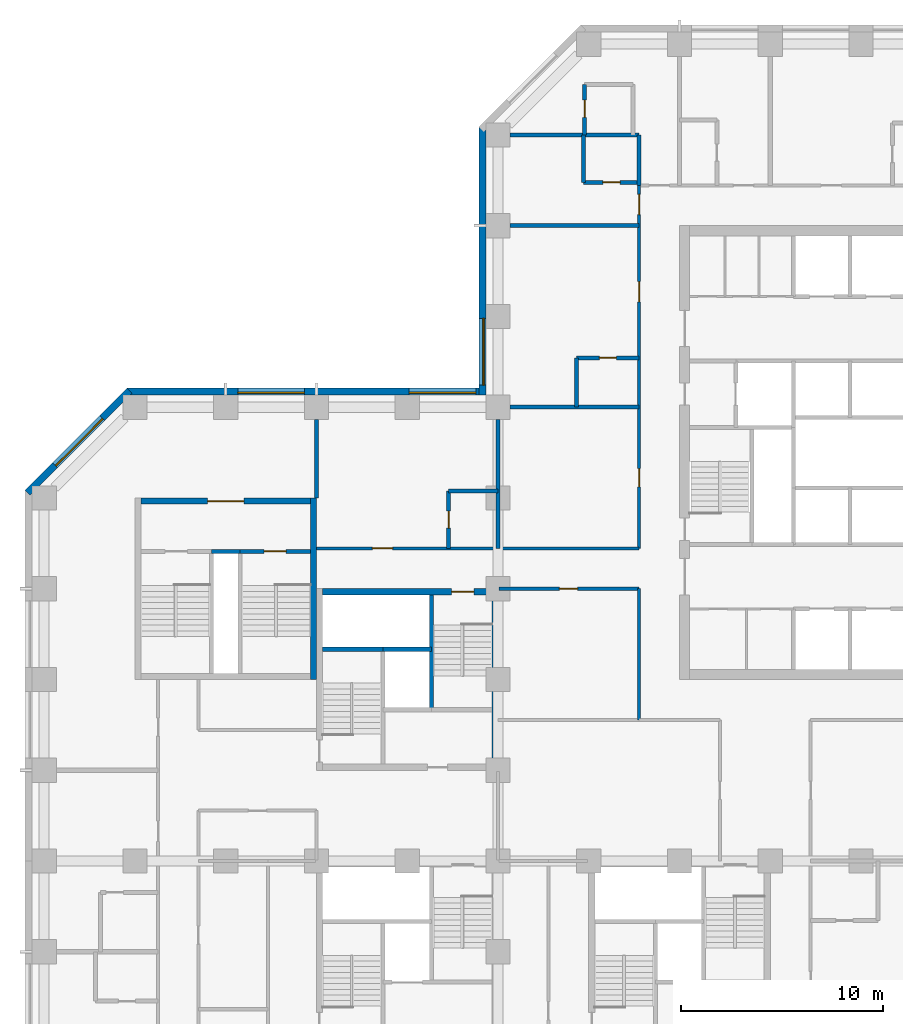
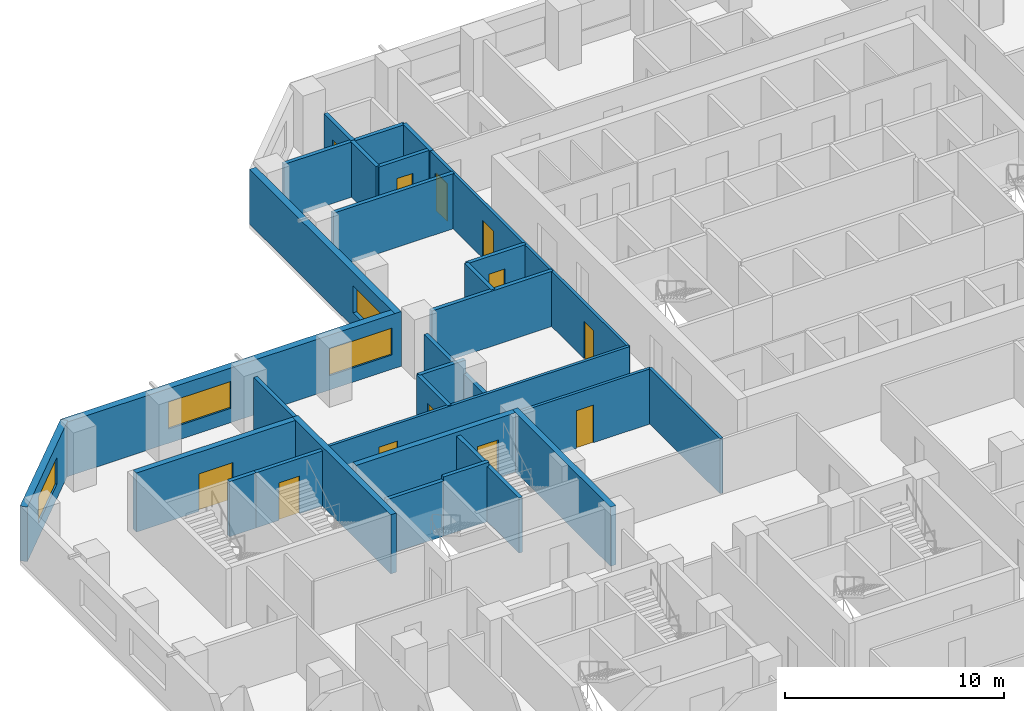
# One storey, part 7 of 13: 29 walls, 12 doors, 4 windows, 16 openings.
"""IFC4 building model written with IfcOpenShell, lengths in metres."""

from ifc_helpers import new_model, si_unit, direction, frame, frame_2d, origin, place, context, subcontext, project, spatial, rectangle, extrude, material, layer, layer_set, constituent, constituent_set, type_object, element, fill, save


model = new_model("IFC4")

# Units and contexts
model_context = context("Model", 3, precision=1e-05, world=origin(), true_north=direction((0.0, 1.0)))
body_context = subcontext(model_context, "Body", "Model", "MODEL_VIEW")
ifc_project = project(units=[si_unit("LENGTHUNIT", "METRE"), si_unit("AREAUNIT", "SQUARE_METRE"), si_unit("VOLUMEUNIT", "CUBIC_METRE"), si_unit("PLANEANGLEUNIT", "RADIAN"), si_unit("MASSUNIT", "GRAM", prefix="KILO")], contexts=[model_context])

# Site, building, storey
site_placement = place(None, origin())
site = spatial("IfcSite", under=ifc_project, at=site_placement, CompositionType="ELEMENT")
building_placement = place(site_placement, origin())
building = spatial("IfcBuilding", under=site, at=building_placement, Name="Quoin Convention Tower", CompositionType="ELEMENT")
storey_placement = place(building_placement, frame((0.0, 0.0, 49.5)))
storey = spatial("IfcBuildingStorey", under=building, at=storey_placement, Name="L12", CompositionType="ELEMENT", Elevation=49.5)

# Wall, opening, window
ifc_material_1 = material(Name="Brick masonry", Category="masonry")
ifc_layer_1 = layer(ifc_material_1, 0.35009765625)
ifc_layer_set_1 = layer_set([ifc_layer_1], Name="Brick masonry")
wall_type_1 = type_object("IfcWallType", Name="Brick facade wall", PredefinedType="STANDARD", material=ifc_layer_set_1)
wall_1_placement = place(storey_placement, frame((35.22509765625, 76.8935546875, 0.0), z_axis=(0.0, 0.0, 1.0), x_axis=(0.0, -1.0, 0.0)))
wall_1 = element("IfcWall", 1, at=wall_1_placement, inside=storey, type_object=wall_type_1, Name="fw-L12-36000_76500", PredefinedType="STANDARD", context=body_context, shape_type="SweptSolid", body=[
    extrude(rectangle(XDim=13.29345703125, YDim=0.35009765625, at=frame_2d((6.646728515625, 0.0))), origin(), (0.0, 0.0, 1.0), 3.054931640625),
])
opening_1_placement = place(wall_1_placement, frame((9.493408203125, 0.0, 0.800048828125)))
opening_1 = element("IfcOpeningElement", 2, at=opening_1_placement, cuts=wall_1, Name="Opening W-01", PredefinedType="OPENING", context=body_context, shape_type="SweptSolid", body=[
    extrude(rectangle(XDim=3.300048828125, YDim=1.5, at=frame_2d((1.64990234375, 0.75))), frame((0.0, 0.18505859375, 0.0), z_axis=(0.0, -1.0, 0.0), x_axis=(1.0, 0.0, 0.0)), (0.0, 0.0, 1.0), 0.3701171875),
])
ifc_material_2 = material(Name="Aluminium", Category="aluminium")
ifc_constituent_1 = constituent(ifc_material_2, Name="Frame")
ifc_material_3 = material(Name="Insulated glass", Category="glass")
ifc_constituent_2 = constituent(ifc_material_3, Name="Glazing")
ifc_constituent_set = constituent_set(constituents=[ifc_constituent_1, ifc_constituent_2], Name="Aluminium")
window_type = type_object("IfcWindowType", Name="Hotel strip window", PartitioningType="DOUBLE_PANEL_VERTICAL", PredefinedType="WINDOW", material=ifc_constituent_set)
window_1_placement = place(opening_1_placement, origin())
window_1 = element("IfcWindow", 3, at=window_1_placement, inside=storey, type_object=window_type, Name="win-L12-35225_65250", OverallHeight=1.5, OverallWidth=3.300048828125, PartitioningType="SINGLE_PANEL", PredefinedType="WINDOW", context=body_context, shape_type="SweptSolid", body=[
    extrude(rectangle(XDim=3.300048828125, YDim=1.5, at=frame_2d((1.64990234375, 0.75))), frame((0.0, 0.0849609375, 0.0), z_axis=(0.0, -1.0, 0.0), x_axis=(1.0, 0.0, 0.0)), (0.0, 0.0, 1.0), 0.06005859375),
])
fill(opening_1, window_1)

# Wall, openings, windows
wall_2_placement = place(storey_placement, frame((35.39990234375, 63.77490234375, 0.0), z_axis=(0.0, 0.0, 1.0), x_axis=(-1.0, 0.0, 0.0)))
wall_2 = element("IfcWall", 4, at=wall_2_placement, inside=storey, type_object=wall_type_1, Name="fw-L12-36000_63000", PredefinedType="STANDARD", context=body_context, shape_type="SweptSolid", body=[
    extrude(rectangle(XDim=17.79345703125, YDim=0.35009765625, at=frame_2d((8.896728515625, 0.0))), origin(), (0.0, 0.0, 1.0), 3.054931640625),
])
opening_2_placement = place(wall_2_placement, frame((0.5, 0.0, 0.800048828125)))
opening_2 = element("IfcOpeningElement", 5, at=opening_2_placement, cuts=wall_2, Name="Opening W-01", PredefinedType="OPENING", context=body_context, shape_type="SweptSolid", body=[
    extrude(rectangle(XDim=3.300048828125, YDim=1.5, at=frame_2d((1.64990234375, 0.75))), frame((0.0, 0.18505859375, 0.0), z_axis=(0.0, -1.0, 0.0), x_axis=(1.0, 0.0, 0.0)), (0.0, 0.0, 1.0), 0.3701171875),
])
opening_3_placement = place(wall_2_placement, frame((9.0, 0.0, 0.800048828125)))
opening_3 = element("IfcOpeningElement", 6, at=opening_3_placement, cuts=wall_2, Name="Opening W-01", PredefinedType="OPENING", context=body_context, shape_type="SweptSolid", body=[
    extrude(rectangle(XDim=3.300048828125, YDim=1.5, at=frame_2d((1.64990234375, 0.75))), frame((0.0, 0.18505859375, 0.0), z_axis=(0.0, -1.0, 0.0), x_axis=(1.0, 0.0, 0.0)), (0.0, 0.0, 1.0), 0.3701171875),
])
window_2_placement = place(opening_2_placement, origin())
window_2 = element("IfcWindow", 7, at=window_2_placement, inside=storey, type_object=window_type, Name="win-L12-33750_63775", OverallHeight=1.5, OverallWidth=3.300048828125, PartitioningType="SINGLE_PANEL", PredefinedType="WINDOW", context=body_context, shape_type="SweptSolid", body=[
    extrude(rectangle(XDim=3.300048828125, YDim=1.5, at=frame_2d((1.64990234375, 0.75))), frame((0.0, 0.0849609375, 0.0), z_axis=(0.0, -1.0, 0.0), x_axis=(1.0, 0.0, 0.0)), (0.0, 0.0, 1.0), 0.06005859375),
])
fill(opening_2, window_2)
window_3_placement = place(opening_3_placement, origin())
window_3 = element("IfcWindow", 8, at=window_3_placement, inside=storey, type_object=window_type, Name="win-L12-24750_63775", OverallHeight=1.5, OverallWidth=3.300048828125, PartitioningType="SINGLE_PANEL", PredefinedType="WINDOW", context=body_context, shape_type="SweptSolid", body=[
    extrude(rectangle(XDim=3.300048828125, YDim=1.5, at=frame_2d((1.64990234375, 0.75))), frame((0.0, 0.0849609375, 0.0), z_axis=(0.0, -1.0, 0.0), x_axis=(1.0, 0.0, 0.0)), (0.0, 0.0, 1.0), 0.06005859375),
])
fill(opening_3, window_3)

# Wall, opening, window
wall_3_placement = place(storey_placement, frame((17.730224609375, 63.826416015625, 0.0), z_axis=(0.0, 0.0, 1.0), x_axis=(-0.707106781187, -0.707106781187, 0.0)))
wall_3 = element("IfcWall", 9, at=wall_3_placement, inside=storey, type_object=wall_type_1, Name="fw-L12-18000_63000", PredefinedType="STANDARD", context=body_context, shape_type="SweptSolid", body=[
    extrude(rectangle(XDim=7.151123046875, YDim=0.35009765625, at=frame_2d((3.57568359375, 0.0))), origin(), (0.0, 0.0, 1.0), 3.054931640625),
])
opening_4_placement = place(wall_3_placement, frame((1.925537109375, 0.0, 0.800048828125)))
opening_4 = element("IfcOpeningElement", 10, at=opening_4_placement, cuts=wall_3, Name="Opening W-01", PredefinedType="OPENING", context=body_context, shape_type="SweptSolid", body=[
    extrude(rectangle(XDim=3.300048828125, YDim=1.5, at=frame_2d((1.64990234375, 0.75))), frame((0.0, 0.18505859375, 0.0), z_axis=(0.0, -1.0, 0.0), x_axis=(1.0, 0.0, 0.0)), (0.0, 0.0, 1.0), 0.3701171875),
])
window_4_placement = place(opening_4_placement, origin())
window_4 = element("IfcWindow", 11, at=window_4_placement, inside=storey, type_object=window_type, Name="win-L12-15202_61298", OverallHeight=1.5, OverallWidth=3.300048828125, PartitioningType="SINGLE_PANEL", PredefinedType="WINDOW", context=body_context, shape_type="SweptSolid", body=[
    extrude(rectangle(XDim=3.300048828125, YDim=1.5, at=frame_2d((1.64990234375, 0.75))), frame((0.0, 0.0849609375, 0.0), z_axis=(0.0, -1.0, 0.0), x_axis=(1.0, 0.0, 0.0)), (0.0, 0.0, 1.0), 0.06005859375),
])
fill(opening_4, window_4)

# Walls
ifc_material_4 = material(Name="Concrete C50", Category="concrete")
ifc_layer_2 = layer(ifc_material_4, 0.199951171875)
ifc_layer_set_2 = layer_set([ifc_layer_2], Name="Concrete C50")
wall_type_2 = type_object("IfcWallType", Name="Core shaft wall", PredefinedType="SOLIDWALL", material=ifc_layer_set_2)
wall_4_placement = place(storey_placement, frame((27.300048828125, 51.0, 0.0), z_axis=(0.0, 0.0, 1.0), x_axis=(1.0, 0.0, 0.0)))
element("IfcWall", 12, at=wall_4_placement, inside=storey, type_object=wall_type_2, Name="cr-P2-L12-h6000_300", PredefinedType="SOLIDWALL", context=body_context, shape_type="SweptSolid", body=[
    extrude(rectangle(XDim=3.0, YDim=0.199951171875, at=frame_2d((1.5, 0.0))), origin(), (0.0, 0.0, 1.0), 3.080078125),
])
wall_5_placement = place(storey_placement, frame((32.699951171875, 48.0, 0.0), z_axis=(0.0, 0.0, 1.0), x_axis=(0.0, 1.0, 0.0)))
element("IfcWall", 13, at=wall_5_placement, inside=storey, type_object=wall_type_2, Name="cr-P2-L12-v5700_3000", PredefinedType="SOLIDWALL", context=body_context, shape_type="SweptSolid", body=[
    extrude(rectangle(XDim=5.699951171875, YDim=0.199951171875, at=frame_2d((2.85009765625, 0.0))), origin(), (0.0, 0.0, 1.0), 3.080078125),
])
wall_6_placement = place(storey_placement, frame((21.800048828125, 55.85009765625, 0.0), z_axis=(0.0, 0.0, 1.0), x_axis=(1.0, 0.0, 0.0)))
element("IfcWall", 14, at=wall_6_placement, inside=storey, type_object=wall_type_2, Name="cr-P6-L12-h6350_3800", PredefinedType="SOLIDWALL", context=body_context, shape_type="SweptSolid", body=[
    extrude(rectangle(XDim=1.39990234375, YDim=0.199951171875, at=frame_2d((0.699951171875, 0.0))), origin(), (0.0, 0.0, 1.0), 3.080078125),
])

# Wall, opening, door
wall_7_placement = place(storey_placement, frame((23.199951171875, 55.85009765625, 0.0), z_axis=(0.0, 0.0, 1.0), x_axis=(1.0, 0.0, 0.0)))
wall_7 = element("IfcWall", 15, at=wall_7_placement, inside=storey, type_object=wall_type_2, Name="cr-P6-L12-h6350_5200", PredefinedType="SOLIDWALL", context=body_context, shape_type="SweptSolid", body=[
    extrude(rectangle(XDim=3.5, YDim=0.199951171875, at=frame_2d((1.75, 0.0))), origin(), (0.0, 0.0, 1.0), 3.080078125),
])
opening_5_placement = place(wall_7_placement, frame((1.199951171875, 0.0, 0.0)))
opening_5 = element("IfcOpeningElement", 16, at=opening_5_placement, cuts=wall_7, Name="Opening SD12", PredefinedType="OPENING", context=body_context, shape_type="SweptSolid", body=[
    extrude(rectangle(XDim=1.10009765625, YDim=2.10009765625, at=frame_2d((0.550048828125, 1.050048828125))), frame((0.0, 0.10986328125, 0.0), z_axis=(0.0, -1.0, 0.0), x_axis=(1.0, 0.0, 0.0)), (0.0, 0.0, 1.0), 0.219970703125),
])
ifc_material_5 = material(Name="Steel door leaf", Category="steel")
door_type_1 = type_object("IfcDoorType", Name="Stair door 1100 x 2100", OperationType="SINGLE_SWING_RIGHT", PredefinedType="DOOR", material=ifc_material_5)
door_1_placement = place(opening_5_placement, origin())
door_1 = element("IfcDoor", 17, at=door_1_placement, inside=storey, type_object=door_type_1, Name="cd-P6-L12-SB-R2-SD12", OperationType="SINGLE_SWING_RIGHT", OverallHeight=2.10009765625, OverallWidth=1.10009765625, PredefinedType="DOOR", context=body_context, shape_type="SweptSolid", body=[
    extrude(rectangle(XDim=1.10009765625, YDim=2.10009765625, at=frame_2d((0.550048828125, 1.050048828125))), frame((0.0, 0.02490234375, 0.0), z_axis=(0.0, -1.0, 0.0), x_axis=(1.0, 0.0, 0.0)), (0.0, 0.0, 1.0), 0.050048828125),
])
fill(opening_5, door_1)

# Wall
ifc_layer_3 = layer(ifc_material_4, 0.199951171875)
ifc_layer_set_3 = layer_set([ifc_layer_3], Name="Concrete C50")
wall_type_3 = type_object("IfcWallType", Name="Core shaft wall to the floor level over", PredefinedType="SOLIDWALL", material=ifc_layer_set_3)
wall_8_placement = place(storey_placement, frame((30.300048828125, 51.0, 0.0), z_axis=(0.0, 0.0, 1.0), x_axis=(1.0, 0.0, 0.0)))
element("IfcWall", 18, at=wall_8_placement, inside=storey, type_object=wall_type_3, Name="cr-P2-L12-h6000_3300", PredefinedType="SOLIDWALL", context=body_context, shape_type="SweptSolid", body=[
    extrude(rectangle(XDim=2.39990234375, YDim=0.199951171875, at=frame_2d((1.199951171875, 0.0))), origin(), (0.0, 0.0, 1.0), 3.300048828125),
])

# Wall, opening, door
ifc_material_6 = material(Name="Concrete C80", Category="concrete")
ifc_layer_4 = layer(ifc_material_6, 0.300048828125)
ifc_layer_set_4 = layer_set([ifc_layer_4], Name="Concrete C80")
wall_type_4 = type_object("IfcWallType", Name="RC CORE WALL 300 C80", PredefinedType="SHEAR", material=ifc_layer_set_4)
wall_9_placement = place(storey_placement, frame((27.300048828125, 53.85009765625, 0.0), z_axis=(0.0, 0.0, 1.0), x_axis=(1.0, 0.0, 0.0)))
wall_9 = element("IfcWall", 19, at=wall_9_placement, inside=storey, type_object=wall_type_4, Name="cwl-P2-L12-N", PredefinedType="SHEAR", context=body_context, shape_type="SweptSolid", body=[
    extrude(rectangle(XDim=8.39990234375, YDim=0.300048828125, at=frame_2d((4.199951171875, 0.0))), origin(), (0.0, 0.0, 1.0), 3.300048828125),
])
opening_6_placement = place(wall_9_placement, frame((6.39990234375, 0.0, 0.0)))
opening_6 = element("IfcOpeningElement", 20, at=opening_6_placement, cuts=wall_9, Name="Opening SD4", PredefinedType="OPENING", context=body_context, shape_type="SweptSolid", body=[
    extrude(rectangle(XDim=1.10009765625, YDim=2.10009765625, at=frame_2d((0.550048828125, 1.050048828125))), frame((0.0, 0.159912109375, 0.0), z_axis=(0.0, -1.0, 0.0), x_axis=(1.0, 0.0, 0.0)), (0.0, 0.0, 1.0), 0.320068359375),
])
door_2_placement = place(opening_6_placement, frame((1.10009765625, 0.0, 0.0), z_axis=(0.0, 0.0, 1.0), x_axis=(-1.0, 0.0, 0.0)))
door_2 = element("IfcDoor", 21, at=door_2_placement, inside=storey, type_object=door_type_1, Name="cd-P2-L12-SB-N", OperationType="SINGLE_SWING_LEFT", OverallHeight=2.10009765625, OverallWidth=1.10009765625, PredefinedType="DOOR", context=body_context, shape_type="SweptSolid", body=[
    extrude(rectangle(XDim=1.10009765625, YDim=2.10009765625, at=frame_2d((0.550048828125, 1.050048828125))), frame((0.0, 0.02490234375, 0.0), z_axis=(0.0, -1.0, 0.0), x_axis=(1.0, 0.0, 0.0)), (0.0, 0.0, 1.0), 0.050048828125),
])
fill(opening_6, door_2)

# Wall
wall_10_placement = place(storey_placement, frame((35.85009765625, 45.0, 0.0), z_axis=(0.0, 0.0, 1.0), x_axis=(0.0, 1.0, 0.0)))
element("IfcWall", 22, at=wall_10_placement, inside=storey, type_object=wall_type_4, Name="cwl-P2-L12-E", PredefinedType="SHEAR", context=body_context, shape_type="SweptSolid", body=[
    extrude(rectangle(XDim=9.0, YDim=0.300048828125, at=frame_2d((4.5, 0.0))), origin(), (0.0, 0.0, 1.0), 3.300048828125),
])

# Wall, opening, door
wall_11_placement = place(storey_placement, frame((18.300048828125, 58.35009765625, 0.0), z_axis=(0.0, 0.0, 1.0), x_axis=(1.0, 0.0, 0.0)))
wall_11 = element("IfcWall", 23, at=wall_11_placement, inside=storey, type_object=wall_type_4, Name="cwl-P6-L12-N", PredefinedType="SHEAR", context=body_context, shape_type="SweptSolid", body=[
    extrude(rectangle(XDim=8.39990234375, YDim=0.300048828125, at=frame_2d((4.199951171875, 0.0))), origin(), (0.0, 0.0, 1.0), 3.300048828125),
])
opening_7_placement = place(wall_11_placement, frame((3.300048828125, 0.0, 0.0)))
opening_7 = element("IfcOpeningElement", 24, at=opening_7_placement, cuts=wall_11, Name="Opening DCV4-46", PredefinedType="OPENING", context=body_context, shape_type="SweptSolid", body=[
    extrude(rectangle(XDim=1.800048828125, YDim=2.10009765625, at=frame_2d((0.89990234375, 1.050048828125))), frame((0.0, 0.159912109375, 0.0), z_axis=(0.0, -1.0, 0.0), x_axis=(1.0, 0.0, 0.0)), (0.0, 0.0, 1.0), 0.320068359375),
])
door_type_2 = type_object("IfcDoorType", Name="Goods lobby door 1800 x 2100", OperationType="SINGLE_SWING_LEFT", PredefinedType="DOOR", material=ifc_material_5)
door_3_placement = place(opening_7_placement, origin())
door_3 = element("IfcDoor", 25, at=door_3_placement, inside=storey, type_object=door_type_2, Name="cd-P6-L12-R2-N", OperationType="SINGLE_SWING_RIGHT", OverallHeight=2.10009765625, OverallWidth=1.800048828125, PredefinedType="DOOR", context=body_context, shape_type="SweptSolid", body=[
    extrude(rectangle(XDim=1.800048828125, YDim=2.10009765625, at=frame_2d((0.89990234375, 1.050048828125))), frame((0.0, 0.02490234375, 0.0), z_axis=(0.0, -1.0, 0.0), x_axis=(1.0, 0.0, 0.0)), (0.0, 0.0, 1.0), 0.050048828125),
])
fill(opening_7, door_3)

# Walls
wall_12_placement = place(storey_placement, frame((26.85009765625, 49.5, 0.0), z_axis=(0.0, 0.0, 1.0), x_axis=(0.0, 1.0, 0.0)))
element("IfcWall", 26, at=wall_12_placement, inside=storey, type_object=wall_type_4, Name="cwl-P6-L12-E", PredefinedType="SHEAR", context=body_context, shape_type="SweptSolid", body=[
    extrude(rectangle(XDim=9.0, YDim=0.300048828125, at=frame_2d((4.5, 0.0))), origin(), (0.0, 0.0, 1.0), 3.300048828125),
])
ifc_layer_5 = layer(ifc_material_4, 0.199951171875)
ifc_layer_set_5 = layer_set([ifc_layer_5], Name="Concrete C50")
wall_type_5 = type_object("IfcWallType", Name="RC party wall", PredefinedType="SOLIDWALL", material=ifc_layer_set_5)
wall_13_placement = place(storey_placement, frame((27.0, 58.5, 0.0), z_axis=(0.0, 0.0, 1.0), x_axis=(0.0, 1.0, 0.0)))
element("IfcWall", 27, at=wall_13_placement, inside=storey, type_object=wall_type_5, Name="pw-L12-102", PredefinedType="SOLIDWALL", context=body_context, shape_type="SweptSolid", body=[
    extrude(rectangle(XDim=3.89990234375, YDim=0.199951171875, at=frame_2d((1.949951171875, 0.0))), origin(), (0.0, 0.0, 1.0), 3.080078125),
])

# Wall, opening, door
wall_14_placement = place(storey_placement, frame((33.550048828125, 56.0, 0.0), z_axis=(0.0, 0.0, 1.0), x_axis=(0.0, 1.0, 0.0)))
wall_14 = element("IfcWall", 28, at=wall_14_placement, inside=storey, type_object=wall_type_5, Name="pw-L12-103", PredefinedType="SOLIDWALL", context=body_context, shape_type="SweptSolid", body=[
    extrude(rectangle(XDim=2.85009765625, YDim=0.199951171875, at=frame_2d((1.425048828125, 0.0))), origin(), (0.0, 0.0, 1.0), 3.080078125),
])
opening_8_placement = place(wall_14_placement, frame((1.0, 0.0, 0.0)))
opening_8 = element("IfcOpeningElement", 29, at=opening_8_placement, cuts=wall_14, Name="Opening DHOTEL-A-57", PredefinedType="OPENING", context=body_context, shape_type="SweptSolid", body=[
    extrude(rectangle(XDim=0.85009765625, YDim=2.10009765625, at=frame_2d((0.425048828125, 1.050048828125))), frame((0.0, 0.10986328125, 0.0), z_axis=(0.0, -1.0, 0.0), x_axis=(1.0, 0.0, 0.0)), (0.0, 0.0, 1.0), 0.219970703125),
])
door_type_3 = type_object("IfcDoorType", Name="Bathroom door", OperationType="SINGLE_SWING_LEFT", PredefinedType="DOOR", material=ifc_material_5)
door_4_placement = place(opening_8_placement, origin())
door_4 = element("IfcDoor", 30, at=door_4_placement, inside=storey, type_object=door_type_3, Name="dr-L12-028", OperationType="SINGLE_SWING_LEFT", OverallHeight=2.10009765625, OverallWidth=0.85009765625, PredefinedType="DOOR", context=body_context, shape_type="SweptSolid", body=[
    extrude(rectangle(XDim=0.85009765625, YDim=2.10009765625, at=frame_2d((0.425048828125, 1.050048828125))), frame((0.0, 0.02490234375, 0.0), z_axis=(0.0, -1.0, 0.0), x_axis=(1.0, 0.0, 0.0)), (0.0, 0.0, 1.0), 0.050048828125),
])
fill(opening_8, door_4)

# Walls
for number, where, z_axis, x_axis, name in (
    (31, (33.550048828125, 58.85009765625, 0.0), (0.0, 0.0, 1.0), (1.0, 0.0, 0.0), "pw-L12-112"),
    (32, (39.89990234375, 63.0, 0.0), (0.0, 0.0, 1.0), (0.0, 1.0, 0.0), "pw-L12-115"),
):
    element("IfcWall", number, at=place(storey_placement, frame(where, z_axis=z_axis, x_axis=x_axis)), inside=storey, type_object=wall_type_5, Name=name, PredefinedType="SOLIDWALL", context=body_context, shape_type="SweptSolid", body=[
        extrude(rectangle(XDim=2.449951171875, YDim=0.199951171875, at=frame_2d((1.22509765625, 0.0))), origin(), (0.0, 0.0, 1.0), 3.080078125),
    ])

# Wall, opening, door
wall_15_placement = place(storey_placement, frame((39.89990234375, 65.449951171875, 0.0), z_axis=(0.0, 0.0, 1.0), x_axis=(1.0, 0.0, 0.0)))
wall_15 = element("IfcWall", 33, at=wall_15_placement, inside=storey, type_object=wall_type_5, Name="pw-L12-116", PredefinedType="SOLIDWALL", context=body_context, shape_type="SweptSolid", body=[
    extrude(rectangle(XDim=3.10009765625, YDim=0.199951171875, at=frame_2d((1.550048828125, 0.0))), origin(), (0.0, 0.0, 1.0), 3.080078125),
])
opening_9_placement = place(wall_15_placement, frame((1.125, 0.0, 0.0)))
opening_9 = element("IfcOpeningElement", 34, at=opening_9_placement, cuts=wall_15, Name="Opening DHOTEL-A-59", PredefinedType="OPENING", context=body_context, shape_type="SweptSolid", body=[
    extrude(rectangle(XDim=0.85009765625, YDim=2.10009765625, at=frame_2d((0.425048828125, 1.050048828125))), frame((0.0, 0.10986328125, 0.0), z_axis=(0.0, -1.0, 0.0), x_axis=(1.0, 0.0, 0.0)), (0.0, 0.0, 1.0), 0.219970703125),
])
door_5_placement = place(opening_9_placement, origin())
door_5 = element("IfcDoor", 35, at=door_5_placement, inside=storey, type_object=door_type_3, Name="dr-L12-032", OperationType="SINGLE_SWING_RIGHT", OverallHeight=2.10009765625, OverallWidth=0.85009765625, PredefinedType="DOOR", context=body_context, shape_type="SweptSolid", body=[
    extrude(rectangle(XDim=0.85009765625, YDim=2.10009765625, at=frame_2d((0.425048828125, 1.050048828125))), frame((0.0, 0.02490234375, 0.0), z_axis=(0.0, -1.0, 0.0), x_axis=(1.0, 0.0, 0.0)), (0.0, 0.0, 1.0), 0.050048828125),
])
fill(opening_9, door_5)

# Walls
wall_16_placement = place(storey_placement, frame((36.60009765625, 72.0, 0.0), z_axis=(0.0, 0.0, 1.0), x_axis=(1.0, 0.0, 0.0)))
element("IfcWall", 36, at=wall_16_placement, inside=storey, type_object=wall_type_5, Name="pw-L12-118", PredefinedType="SOLIDWALL", context=body_context, shape_type="SweptSolid", body=[
    extrude(rectangle(XDim=6.39990234375, YDim=0.199951171875, at=frame_2d((3.199951171875, 0.0))), origin(), (0.0, 0.0, 1.0), 3.080078125),
])
wall_17_placement = place(storey_placement, frame((43.0, 74.0, 0.0), z_axis=(0.0, 0.0, 1.0), x_axis=(0.0, 1.0, 0.0)))
element("IfcWall", 37, at=wall_17_placement, inside=storey, type_object=wall_type_5, Name="pw-L12-121", PredefinedType="SOLIDWALL", context=body_context, shape_type="SweptSolid", body=[
    extrude(rectangle(XDim=2.5, YDim=0.199951171875, at=frame_2d((1.25, 0.0))), origin(), (0.0, 0.0, 1.0), 3.080078125),
])

# Wall, opening, door
wall_18_placement = place(storey_placement, frame((40.25, 74.14990234375, 0.0), z_axis=(0.0, 0.0, 1.0), x_axis=(1.0, 0.0, 0.0)))
wall_18 = element("IfcWall", 38, at=wall_18_placement, inside=storey, type_object=wall_type_5, Name="pw-L12-130", PredefinedType="SOLIDWALL", context=body_context, shape_type="SweptSolid", body=[
    extrude(rectangle(XDim=2.75, YDim=0.199951171875, at=frame_2d((1.375, 0.0))), origin(), (0.0, 0.0, 1.0), 3.080078125),
])
opening_10_placement = place(wall_18_placement, frame((0.949951171875, 0.0, 0.0)))
opening_10 = element("IfcOpeningElement", 39, at=opening_10_placement, cuts=wall_18, Name="Opening DHOTEL-A-64", PredefinedType="OPENING", context=body_context, shape_type="SweptSolid", body=[
    extrude(rectangle(XDim=0.85009765625, YDim=2.10009765625, at=frame_2d((0.425048828125, 1.050048828125))), frame((0.0, 0.10986328125, 0.0), z_axis=(0.0, -1.0, 0.0), x_axis=(1.0, 0.0, 0.0)), (0.0, 0.0, 1.0), 0.219970703125),
])
door_6_placement = place(opening_10_placement, frame((0.85009765625, 0.0, 0.0), z_axis=(0.0, 0.0, 1.0), x_axis=(-1.0, 0.0, 0.0)))
door_6 = element("IfcDoor", 40, at=door_6_placement, inside=storey, type_object=door_type_3, Name="dr-L12-034", OperationType="SINGLE_SWING_LEFT", OverallHeight=2.10009765625, OverallWidth=0.85009765625, PredefinedType="DOOR", context=body_context, shape_type="SweptSolid", body=[
    extrude(rectangle(XDim=0.85009765625, YDim=2.10009765625, at=frame_2d((0.425048828125, 1.050048828125))), frame((0.0, 0.02490234375, 0.0), z_axis=(0.0, -1.0, 0.0), x_axis=(1.0, 0.0, 0.0)), (0.0, 0.0, 1.0), 0.050048828125),
])
fill(opening_10, door_6)

# Walls
wall_19_placement = place(storey_placement, frame((40.25, 74.14990234375, 0.0), z_axis=(0.0, 0.0, 1.0), x_axis=(0.0, 1.0, 0.0)))
element("IfcWall", 41, at=wall_19_placement, inside=storey, type_object=wall_type_5, Name="pw-L12-131", PredefinedType="SOLIDWALL", context=body_context, shape_type="SweptSolid", body=[
    extrude(rectangle(XDim=2.35009765625, YDim=0.199951171875, at=frame_2d((1.175048828125, 0.0))), origin(), (0.0, 0.0, 1.0), 3.080078125),
])
wall_20_placement = place(storey_placement, frame((36.60009765625, 76.5, 0.0), z_axis=(0.0, 0.0, 1.0), x_axis=(1.0, 0.0, 0.0)))
element("IfcWall", 42, at=wall_20_placement, inside=storey, type_object=wall_type_5, Name="pw-L12-132", PredefinedType="SOLIDWALL", context=body_context, shape_type="SweptSolid", body=[
    extrude(rectangle(XDim=6.39990234375, YDim=0.199951171875, at=frame_2d((3.199951171875, 0.0))), origin(), (0.0, 0.0, 1.0), 3.080078125),
])

# Wall, opening, door
wall_21_placement = place(storey_placement, frame((40.300048828125, 76.5, 0.0), z_axis=(0.0, 0.0, 1.0), x_axis=(0.0, 1.0, 0.0)))
wall_21 = element("IfcWall", 43, at=wall_21_placement, inside=storey, type_object=wall_type_5, Name="pw-L12-133", PredefinedType="SOLIDWALL", context=body_context, shape_type="SweptSolid", body=[
    extrude(rectangle(XDim=2.5, YDim=0.199951171875, at=frame_2d((1.25, 0.0))), origin(), (0.0, 0.0, 1.0), 3.080078125),
])
opening_11_placement = place(wall_21_placement, frame((0.875, 0.0, 0.0)))
opening_11 = element("IfcOpeningElement", 44, at=opening_11_placement, cuts=wall_21, Name="Opening DHOTEL-A-65", PredefinedType="OPENING", context=body_context, shape_type="SweptSolid", body=[
    extrude(rectangle(XDim=0.85009765625, YDim=2.10009765625, at=frame_2d((0.425048828125, 1.050048828125))), frame((0.0, 0.10986328125, 0.0), z_axis=(0.0, -1.0, 0.0), x_axis=(1.0, 0.0, 0.0)), (0.0, 0.0, 1.0), 0.219970703125),
])
door_7_placement = place(opening_11_placement, origin())
door_7 = element("IfcDoor", 45, at=door_7_placement, inside=storey, type_object=door_type_3, Name="dr-L12-060", OperationType="SINGLE_SWING_RIGHT", OverallHeight=2.10009765625, OverallWidth=0.85009765625, PredefinedType="DOOR", context=body_context, shape_type="SweptSolid", body=[
    extrude(rectangle(XDim=0.85009765625, YDim=2.10009765625, at=frame_2d((0.425048828125, 1.050048828125))), frame((0.0, 0.02490234375, 0.0), z_axis=(0.0, -1.0, 0.0), x_axis=(1.0, 0.0, 0.0)), (0.0, 0.0, 1.0), 0.050048828125),
])
fill(opening_11, door_7)

# Wall
ifc_material_7 = material(Name="Plasterboard")
ifc_layer_6 = layer(ifc_material_7, 0.012451171875, Name="Finish")
ifc_material_8 = material(Name="Steel stud framing", Category="steel")
ifc_layer_7 = layer(ifc_material_8, 0.125, Name="Structure")
ifc_layer_8 = layer(ifc_material_7, 0.012451171875, Name="Finish")
ifc_layer_set_6 = layer_set([ifc_layer_6, ifc_layer_7, ifc_layer_8], Name="Steel stud framing")
wall_type_6 = type_object("IfcWallType", Name="corridor partition", PredefinedType="PARTITIONING", material=ifc_layer_set_6)
wall_22_placement = place(storey_placement, frame((43.0, 47.5, 0.0), z_axis=(0.0, 0.0, 1.0), x_axis=(0.0, 1.0, 0.0)))
element("IfcWall", 46, at=wall_22_placement, inside=storey, type_object=wall_type_6, Name="pw-L12-029", PredefinedType="PARTITIONING", context=body_context, shape_type="SweptSolid", body=[
    extrude(rectangle(XDim=6.5, YDim=0.14990234375, at=frame_2d((3.25, 0.0))), origin(), (0.0, 0.0, 1.0), 3.080078125),
])

# Wall, opening, door
wall_23_placement = place(storey_placement, frame((36.050048828125, 54.0, 0.0), z_axis=(0.0, 0.0, 1.0), x_axis=(1.0, 0.0, 0.0)))
wall_23 = element("IfcWall", 47, at=wall_23_placement, inside=storey, type_object=wall_type_6, Name="pw-L12-033", PredefinedType="PARTITIONING", context=body_context, shape_type="SweptSolid", body=[
    extrude(rectangle(XDim=6.949951171875, YDim=0.14990234375, at=frame_2d((3.47509765625, 0.0))), origin(), (0.0, 0.0, 1.0), 3.080078125),
])
opening_12_placement = place(wall_23_placement, frame((3.0, 0.0, 0.0)))
opening_12 = element("IfcOpeningElement", 48, at=opening_12_placement, cuts=wall_23, Name="Opening DHOTEL-A-29", PredefinedType="OPENING", context=body_context, shape_type="SweptSolid", body=[
    extrude(rectangle(XDim=0.89990234375, YDim=2.10009765625, at=frame_2d((0.449951171875, 1.050048828125))), frame((0.0, 0.0849609375, 0.0), z_axis=(0.0, -1.0, 0.0), x_axis=(1.0, 0.0, 0.0)), (0.0, 0.0, 1.0), 0.169921875),
])
door_type_4 = type_object("IfcDoorType", Name="Single room door", OperationType="SINGLE_SWING_RIGHT", PredefinedType="DOOR", material=ifc_material_5)
door_8_placement = place(opening_12_placement, frame((0.89990234375, 0.0, 0.0), z_axis=(0.0, 0.0, 1.0), x_axis=(-1.0, 0.0, 0.0)))
door_8 = element("IfcDoor", 49, at=door_8_placement, inside=storey, type_object=door_type_4, Name="dr-L12-071", OperationType="SINGLE_SWING_LEFT", OverallHeight=2.10009765625, OverallWidth=0.89990234375, PredefinedType="DOOR", context=body_context, shape_type="SweptSolid", body=[
    extrude(rectangle(XDim=0.89990234375, YDim=2.10009765625, at=frame_2d((0.449951171875, 1.050048828125))), frame((0.0, 0.02490234375, 0.0), z_axis=(0.0, -1.0, 0.0), x_axis=(1.0, 0.0, 0.0)), (0.0, 0.0, 1.0), 0.050048828125),
])
fill(opening_12, door_8)

wall_24_placement = place(storey_placement, frame((27.0, 56.0, 0.0), z_axis=(0.0, 0.0, 1.0), x_axis=(1.0, 0.0, 0.0)))
wall_24 = element("IfcWall", 50, at=wall_24_placement, inside=storey, type_object=wall_type_6, Name="pw-L12-034", PredefinedType="PARTITIONING", context=body_context, shape_type="SweptSolid", body=[
    extrude(rectangle(XDim=16.0, YDim=0.14990234375, at=frame_2d((8.0, 0.0))), origin(), (0.0, 0.0, 1.0), 3.080078125),
])
opening_13_placement = place(wall_24_placement, frame((2.77490234375, 0.0, 0.0)))
opening_13 = element("IfcOpeningElement", 51, at=opening_13_placement, cuts=wall_24, Name="Opening DHOTEL-A-30", PredefinedType="OPENING", context=body_context, shape_type="SweptSolid", body=[
    extrude(rectangle(XDim=1.0, YDim=2.10009765625, at=frame_2d((0.5, 1.050048828125))), frame((0.0, 0.0849609375, 0.0), z_axis=(0.0, -1.0, 0.0), x_axis=(1.0, 0.0, 0.0)), (0.0, 0.0, 1.0), 0.169921875),
])
door_type_5 = type_object("IfcDoorType", Name="Hotel room door", OperationType="SINGLE_SWING_LEFT", PredefinedType="DOOR", material=ifc_material_5)
door_9_placement = place(opening_13_placement, origin())
door_9 = element("IfcDoor", 52, at=door_9_placement, inside=storey, type_object=door_type_5, Name="dr-L12-027", OperationType="SINGLE_SWING_RIGHT", OverallHeight=2.10009765625, OverallWidth=1.0, PredefinedType="DOOR", context=body_context, shape_type="SweptSolid", body=[
    extrude(rectangle(XDim=1.0, YDim=2.10009765625, at=frame_2d((0.5, 1.050048828125))), frame((0.0, 0.02490234375, 0.0), z_axis=(0.0, -1.0, 0.0), x_axis=(1.0, 0.0, 0.0)), (0.0, 0.0, 1.0), 0.050048828125),
])
fill(opening_13, door_9)

# Wall, openings, doors
wall_25_placement = place(storey_placement, frame((43.0, 56.0, 0.0), z_axis=(0.0, 0.0, 1.0), x_axis=(0.0, 1.0, 0.0)))
wall_25 = element("IfcWall", 53, at=wall_25_placement, inside=storey, type_object=wall_type_6, Name="pw-L12-035", PredefinedType="PARTITIONING", context=body_context, shape_type="SweptSolid", body=[
    extrude(rectangle(XDim=18.0, YDim=0.14990234375, at=frame_2d((9.0, 0.0))), origin(), (0.0, 0.0, 1.0), 3.080078125),
])
opening_14_placement = place(wall_25_placement, frame((12.22509765625, 0.0, 0.0)))
opening_14 = element("IfcOpeningElement", 54, at=opening_14_placement, cuts=wall_25, Name="Opening DHOTEL-A-32", PredefinedType="OPENING", context=body_context, shape_type="SweptSolid", body=[
    extrude(rectangle(XDim=1.0, YDim=2.10009765625, at=frame_2d((0.5, 1.050048828125))), frame((0.0, 0.0849609375, 0.0), z_axis=(0.0, -1.0, 0.0), x_axis=(1.0, 0.0, 0.0)), (0.0, 0.0, 1.0), 0.169921875),
])
opening_15_placement = place(wall_25_placement, frame((16.552978515625, 0.0, 0.0)))
opening_15 = element("IfcOpeningElement", 55, at=opening_15_placement, cuts=wall_25, Name="Opening DHOTEL-A-33", PredefinedType="OPENING", context=body_context, shape_type="SweptSolid", body=[
    extrude(rectangle(XDim=1.0, YDim=2.10009765625, at=frame_2d((0.5, 1.050048828125))), frame((0.0, 0.0849609375, 0.0), z_axis=(0.0, -1.0, 0.0), x_axis=(1.0, 0.0, 0.0)), (0.0, 0.0, 1.0), 0.169921875),
])
opening_16_placement = place(wall_25_placement, frame((3.050048828125, 0.0, 0.0)))
opening_16 = element("IfcOpeningElement", 56, at=opening_16_placement, cuts=wall_25, Name="Opening DHOTEL-A-31", PredefinedType="OPENING", context=body_context, shape_type="SweptSolid", body=[
    extrude(rectangle(XDim=0.89990234375, YDim=2.10009765625, at=frame_2d((0.449951171875, 1.050048828125))), frame((0.0, 0.0849609375, 0.0), z_axis=(0.0, -1.0, 0.0), x_axis=(1.0, 0.0, 0.0)), (0.0, 0.0, 1.0), 0.169921875),
])
door_10_placement = place(opening_14_placement, origin())
door_10 = element("IfcDoor", 57, at=door_10_placement, inside=storey, type_object=door_type_5, Name="dr-L12-031", OperationType="SINGLE_SWING_RIGHT", OverallHeight=2.10009765625, OverallWidth=1.0, PredefinedType="DOOR", context=body_context, shape_type="SweptSolid", body=[
    extrude(rectangle(XDim=1.0, YDim=2.10009765625, at=frame_2d((0.5, 1.050048828125))), frame((0.0, 0.02490234375, 0.0), z_axis=(0.0, -1.0, 0.0), x_axis=(1.0, 0.0, 0.0)), (0.0, 0.0, 1.0), 0.050048828125),
])
fill(opening_14, door_10)
door_11_placement = place(opening_15_placement, origin())
door_11 = element("IfcDoor", 58, at=door_11_placement, inside=storey, type_object=door_type_5, Name="dr-L12-033", OperationType="SINGLE_SWING_RIGHT", OverallHeight=2.10009765625, OverallWidth=1.0, PredefinedType="DOOR", context=body_context, shape_type="SweptSolid", body=[
    extrude(rectangle(XDim=1.0, YDim=2.10009765625, at=frame_2d((0.5, 1.050048828125))), frame((0.0, 0.02490234375, 0.0), z_axis=(0.0, -1.0, 0.0), x_axis=(1.0, 0.0, 0.0)), (0.0, 0.0, 1.0), 0.050048828125),
])
fill(opening_15, door_11)
door_12_placement = place(opening_16_placement, origin())
door_12 = element("IfcDoor", 59, at=door_12_placement, inside=storey, type_object=door_type_4, Name="dr-L12-072", OperationType="SINGLE_SWING_RIGHT", OverallHeight=2.10009765625, OverallWidth=0.89990234375, PredefinedType="DOOR", context=body_context, shape_type="SweptSolid", body=[
    extrude(rectangle(XDim=0.89990234375, YDim=2.10009765625, at=frame_2d((0.449951171875, 1.050048828125))), frame((0.0, 0.02490234375, 0.0), z_axis=(0.0, -1.0, 0.0), x_axis=(1.0, 0.0, 0.0)), (0.0, 0.0, 1.0), 0.050048828125),
])
fill(opening_16, door_12)

# Walls
ifc_layer_9 = layer(ifc_material_7, 0.012451171875, Name="Finish")
ifc_layer_10 = layer(ifc_material_8, 0.175048828125, Name="Structure")
ifc_layer_11 = layer(ifc_material_7, 0.012451171875, Name="Finish")
ifc_layer_set_7 = layer_set([ifc_layer_9, ifc_layer_10, ifc_layer_11], Name="Steel stud framing")
wall_type_7 = type_object("IfcWallType", Name="guest room compartment wall", PredefinedType="PARTITIONING", material=ifc_layer_set_7)
wall_26_placement = place(storey_placement, frame((36.60009765625, 63.0, 0.0), z_axis=(0.0, 0.0, 1.0), x_axis=(1.0, 0.0, 0.0)))
element("IfcWall", 60, at=wall_26_placement, inside=storey, type_object=wall_type_7, Name="pw-L12-004", PredefinedType="PARTITIONING", context=body_context, shape_type="SweptSolid", body=[
    extrude(rectangle(XDim=6.39990234375, YDim=0.199951171875, at=frame_2d((3.199951171875, 0.0))), origin(), (0.0, 0.0, 1.0), 3.080078125),
])
ifc_layer_12 = layer(ifc_material_7, 0.012451171875, Name="Finish")
ifc_layer_13 = layer(ifc_material_8, 0.175048828125, Name="Structure")
ifc_layer_14 = layer(ifc_material_7, 0.012451171875, Name="Finish")
ifc_layer_set_8 = layer_set([ifc_layer_12, ifc_layer_13, ifc_layer_14], Name="Steel stud framing")
wall_type_8 = type_object("IfcWallType", Name="guest room compartment wall under beam 750", PredefinedType="PARTITIONING", material=ifc_layer_set_8)
wall_27_placement = place(storey_placement, frame((36.0, 56.0, 0.0), z_axis=(0.0, 0.0, 1.0), x_axis=(0.0, 1.0, 0.0)))
element("IfcWall", 61, at=wall_27_placement, inside=storey, type_object=wall_type_8, Name="pw-L12-003", PredefinedType="PARTITIONING", context=body_context, shape_type="SweptSolid", body=[
    extrude(rectangle(XDim=6.39990234375, YDim=0.199951171875, at=frame_2d((3.199951171875, 0.0))), origin(), (0.0, 0.0, 1.0), 2.330078125),
])

save(model, "model.ifc")
